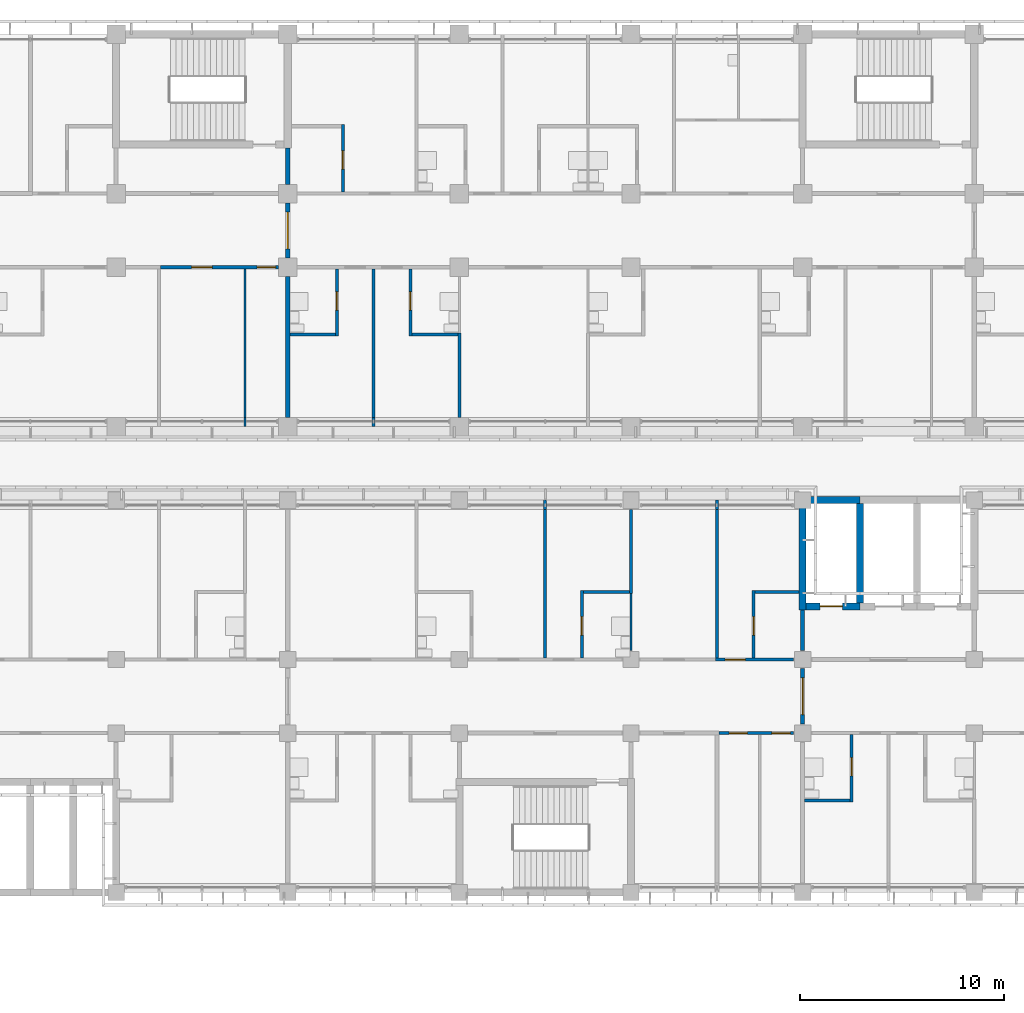
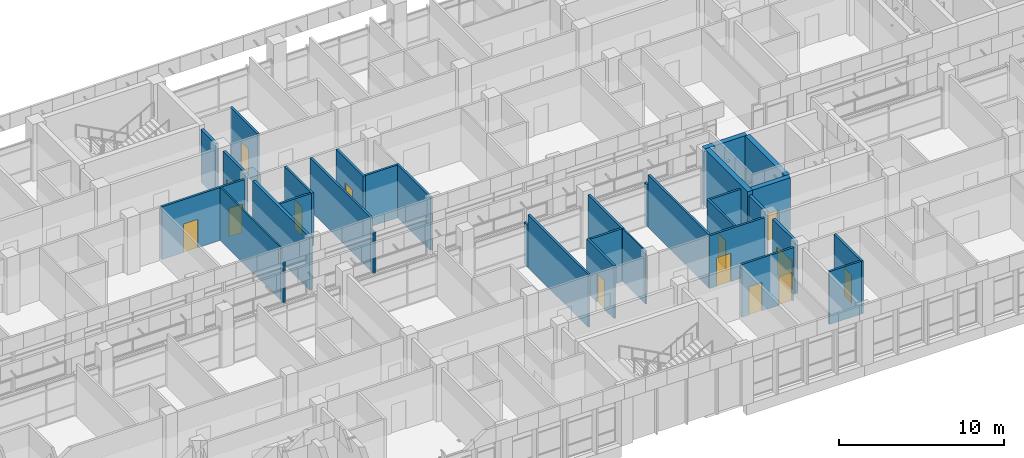
# One storey, part 80 of 137: 34 walls, 14 doors, 14 openings.
"""IFC4 building model written with IfcOpenShell, lengths in metres."""

from ifc_helpers import new_model, si_unit, direction, frame, frame_2d, origin, place, context, subcontext, project, spatial, rectangle, extrude, material, layer, layer_set, type_object, element, fill, save


model = new_model("IFC4")

# Units and contexts
model_context = context("Model", 3, precision=1e-05, world=origin(), true_north=direction((0.0, 1.0)))
body_context = subcontext(model_context, "Body", "Model", "MODEL_VIEW")
ifc_project = project(units=[si_unit("LENGTHUNIT", "METRE"), si_unit("AREAUNIT", "SQUARE_METRE"), si_unit("VOLUMEUNIT", "CUBIC_METRE"), si_unit("PLANEANGLEUNIT", "RADIAN"), si_unit("MASSUNIT", "GRAM", prefix="KILO")], contexts=[model_context])

# Site, building, storey
site_placement = place(None, origin())
site = spatial("IfcSite", under=ifc_project, at=site_placement, CompositionType="ELEMENT")
building_placement = place(site_placement, origin())
building = spatial("IfcBuilding", under=site, at=building_placement, Name="Bougainvillea Quay General Hospital", CompositionType="ELEMENT")
storey_placement = place(building_placement, frame((0.0, 0.0, 16.800048828125)))
storey = spatial("IfcBuildingStorey", under=building, at=storey_placement, Name="L03", CompositionType="ELEMENT", Elevation=16.800048828125)

# Walls
ifc_material_1 = material(Name="Gypsum board partition on steel studs", Category="steel")
ifc_layer_1 = layer(ifc_material_1, 0.10009765625)
ifc_layer_set_1 = layer_set([ifc_layer_1], Name="Gypsum board partition on steel studs")
wall_type_1 = type_object("IfcWallType", Name="Partition 100 Gypsum board partition", PredefinedType="PARTITIONING", material=ifc_layer_set_1)
wall_1_placement = place(storey_placement, frame((107.10009765625, 140.39990234375, 0.0), z_axis=(0.0, 0.0, 1.0), x_axis=(0.0, 1.0, 0.0)))
element("IfcWall", 1, at=wall_1_placement, inside=storey, type_object=wall_type_1, Name="Partition 100 mm", PredefinedType="PARTITIONING", context=body_context, shape_type="SweptSolid", body=[
    extrude(rectangle(XDim=0.4501953125, YDim=0.10009765625, at=frame_2d((0.22509765625, 0.0))), origin(), (0.0, 0.0, 1.0), 3.079833984375),
])
wall_2_placement = place(storey_placement, frame((107.10009765625, 140.85009765625, 0.0), z_axis=(0.0, 0.0, 1.0), x_axis=(0.0, 1.0, 0.0)))
element("IfcWall", 2, at=wall_2_placement, inside=storey, type_object=wall_type_1, Name="Partition 100 mm", PredefinedType="PARTITIONING", context=body_context, shape_type="SweptSolid", body=[
    extrude(rectangle(XDim=7.27490234375, YDim=0.10009765625, at=frame_2d((3.637451171875, 0.0))), origin(), (0.0, 0.0, 1.0), 3.89990234375),
])
wall_3_placement = place(storey_placement, frame((126.0, 129.449951171875, 0.0), z_axis=(0.0, 0.0, 1.0), x_axis=(0.0, 1.0, 0.0)))
element("IfcWall", 3, at=wall_3_placement, inside=storey, type_object=wall_type_1, Name="Partition 100 mm", PredefinedType="PARTITIONING", context=body_context, shape_type="SweptSolid", body=[
    extrude(rectangle(XDim=2.775146484375, YDim=0.10009765625, at=frame_2d((1.3876953125, 0.0))), origin(), (0.0, 0.0, 1.0), 3.89990234375),
])
ifc_material_2 = material(Name="Gypsum board partition on steel studs, insulated", Category="steel")
ifc_layer_2 = layer(ifc_material_2, 0.14990234375)
ifc_layer_set_2 = layer_set([ifc_layer_2], Name="Gypsum board partition on steel studs, insulated")
wall_type_2 = type_object("IfcWallType", Name="Partition 150 Gypsum board partition", PredefinedType="PARTITIONING", material=ifc_layer_set_2)
wall_4_placement = place(storey_placement, frame((121.800048828125, 129.074951171875, 0.0), z_axis=(0.0, 0.0, 1.0), x_axis=(0.0, 1.0, 0.0)))
element("IfcWall", 4, at=wall_4_placement, inside=storey, type_object=wall_type_2, Name="Partition 150 mm", PredefinedType="PARTITIONING", context=body_context, shape_type="SweptSolid", body=[
    extrude(rectangle(XDim=7.275146484375, YDim=0.14990234375, at=frame_2d((3.6376953125, 0.0))), origin(), (0.0, 0.0, 1.0), 3.89990234375),
])
wall_5_placement = place(storey_placement, frame((121.800048828125, 136.35009765625, 0.0), z_axis=(0.0, 0.0, 1.0), x_axis=(0.0, 1.0, 0.0)))
element("IfcWall", 5, at=wall_5_placement, inside=storey, type_object=wall_type_2, Name="Partition 150 mm", PredefinedType="PARTITIONING", context=body_context, shape_type="SweptSolid", body=[
    extrude(rectangle(XDim=0.449951171875, YDim=0.14990234375, at=frame_2d((0.22509765625, 0.0))), origin(), (0.0, 0.0, 1.0), 3.079833984375),
])
wall_6_placement = place(storey_placement, frame((130.199951171875, 129.074951171875, 0.0), z_axis=(0.0, 0.0, 1.0), x_axis=(0.0, 1.0, 0.0)))
element("IfcWall", 6, at=wall_6_placement, inside=storey, type_object=wall_type_2, Name="Partition 150 mm", PredefinedType="PARTITIONING", context=body_context, shape_type="SweptSolid", body=[
    extrude(rectangle(XDim=7.275146484375, YDim=0.14990234375, at=frame_2d((3.6376953125, 0.0))), origin(), (0.0, 0.0, 1.0), 3.89990234375),
])
wall_7_placement = place(storey_placement, frame((130.199951171875, 136.35009765625, 0.0), z_axis=(0.0, 0.0, 1.0), x_axis=(0.0, 1.0, 0.0)))
element("IfcWall", 7, at=wall_7_placement, inside=storey, type_object=wall_type_2, Name="Partition 150 mm", PredefinedType="PARTITIONING", context=body_context, shape_type="SweptSolid", body=[
    extrude(rectangle(XDim=0.449951171875, YDim=0.14990234375, at=frame_2d((0.22509765625, 0.0))), origin(), (0.0, 0.0, 1.0), 3.079833984375),
])
wall_8_placement = place(storey_placement, frame((113.39990234375, 140.39990234375, 0.0), z_axis=(0.0, 0.0, 1.0), x_axis=(0.0, 1.0, 0.0)))
element("IfcWall", 8, at=wall_8_placement, inside=storey, type_object=wall_type_2, Name="Partition 150 mm", PredefinedType="PARTITIONING", context=body_context, shape_type="SweptSolid", body=[
    extrude(rectangle(XDim=0.4501953125, YDim=0.14990234375, at=frame_2d((0.22509765625, 0.0))), origin(), (0.0, 0.0, 1.0), 3.079833984375),
])
wall_9_placement = place(storey_placement, frame((113.39990234375, 140.85009765625, 0.0), z_axis=(0.0, 0.0, 1.0), x_axis=(0.0, 1.0, 0.0)))
element("IfcWall", 9, at=wall_9_placement, inside=storey, type_object=wall_type_2, Name="Partition 150 mm", PredefinedType="PARTITIONING", context=body_context, shape_type="SweptSolid", body=[
    extrude(rectangle(XDim=7.27490234375, YDim=0.14990234375, at=frame_2d((3.637451171875, 0.0))), origin(), (0.0, 0.0, 1.0), 3.89990234375),
])
for number, where, z_axis, x_axis, name in (
    (10, (117.60009765625, 140.85009765625, 0.0), (0.0, 0.0, 1.0), (0.0, 1.0, 0.0), "Partition 150 mm"),
    (11, (126.0, 132.22509765625, 0.0), (0.0, 0.0, 1.0), (0.0, 1.0, 0.0), "Partition 150 mm"),
):
    element("IfcWall", number, at=place(storey_placement, frame(where, z_axis=z_axis, x_axis=x_axis)), inside=storey, type_object=wall_type_2, Name=name, PredefinedType="PARTITIONING", context=body_context, shape_type="SweptSolid", body=[
        extrude(rectangle(XDim=4.125, YDim=0.14990234375, at=frame_2d((2.0625, 0.0))), origin(), (0.0, 0.0, 1.0), 3.89990234375),
    ])

# Wall, opening, door
wall_10_placement = place(storey_placement, frame((123.60009765625, 129.074951171875, 0.0), z_axis=(0.0, 0.0, 1.0), x_axis=(0.0, 1.0, 0.0)))
wall_10 = element("IfcWall", 12, at=wall_10_placement, inside=storey, type_object=wall_type_2, Name="Partition 150 mm", PredefinedType="PARTITIONING", context=body_context, shape_type="SweptSolid", body=[
    extrude(rectangle(XDim=3.300048828125, YDim=0.14990234375, at=frame_2d((1.64990234375, 0.0))), origin(), (0.0, 0.0, 1.0), 3.89990234375),
])
opening_1_placement = place(wall_10_placement, frame((1.125, 0.0, 0.0)))
opening_1 = element("IfcOpeningElement", 13, at=opening_1_placement, cuts=wall_10, Name="Opening L03.109", PredefinedType="OPENING", context=body_context, shape_type="SweptSolid", body=[
    extrude(rectangle(XDim=0.89990234375, YDim=2.10009765625, at=frame_2d((0.449951171875, 1.050048828125))), frame((0.0, 0.0849609375, 0.0), z_axis=(0.0, -1.0, 0.0), x_axis=(1.0, 0.0, 0.0)), (0.0, 0.0, 1.0), 0.169921875),
])
ifc_material_3 = material(Name="Solid-core timber door leaf in steel frame", Category="steel")
door_type_1 = type_object("IfcDoorType", Name="Single leaf door 900x2100", OperationType="NOTDEFINED", PredefinedType="DOOR", material=ifc_material_3)
door_1_placement = place(opening_1_placement, frame((0.89990234375, 0.0, 0.0), z_axis=(0.0, 0.0, 1.0), x_axis=(-1.0, 0.0, 0.0)))
door_1 = element("IfcDoor", 14, at=door_1_placement, inside=storey, type_object=door_type_1, Name="DT07 L03.109", OperationType="SINGLE_SWING_RIGHT", OverallHeight=2.10009765625, OverallWidth=0.89990234375, PredefinedType="DOOR", context=body_context, shape_type="SweptSolid", body=[
    extrude(rectangle(XDim=0.89990234375, YDim=2.10009765625, at=frame_2d((0.449951171875, 1.050048828125))), frame((0.0, 0.02490234375, 0.0), z_axis=(0.0, -1.0, 0.0), x_axis=(1.0, 0.0, 0.0)), (0.0, 0.0, 1.0), 0.050048828125),
])
fill(opening_1, door_1)

wall_11_placement = place(storey_placement, frame((132.0, 129.074951171875, 0.0), z_axis=(0.0, 0.0, 1.0), x_axis=(0.0, 1.0, 0.0)))
wall_11 = element("IfcWall", 15, at=wall_11_placement, inside=storey, type_object=wall_type_2, Name="Partition 150 mm", PredefinedType="PARTITIONING", context=body_context, shape_type="SweptSolid", body=[
    extrude(rectangle(XDim=3.300048828125, YDim=0.14990234375, at=frame_2d((1.64990234375, 0.0))), origin(), (0.0, 0.0, 1.0), 3.89990234375),
])
opening_2_placement = place(wall_11_placement, frame((1.125, 0.0, 0.0)))
opening_2 = element("IfcOpeningElement", 16, at=opening_2_placement, cuts=wall_11, Name="Opening L03.112", PredefinedType="OPENING", context=body_context, shape_type="SweptSolid", body=[
    extrude(rectangle(XDim=0.89990234375, YDim=2.10009765625, at=frame_2d((0.449951171875, 1.050048828125))), frame((0.0, 0.0849609375, 0.0), z_axis=(0.0, -1.0, 0.0), x_axis=(1.0, 0.0, 0.0)), (0.0, 0.0, 1.0), 0.169921875),
])
door_2_placement = place(opening_2_placement, frame((0.89990234375, 0.0, 0.0), z_axis=(0.0, 0.0, 1.0), x_axis=(-1.0, 0.0, 0.0)))
door_2 = element("IfcDoor", 17, at=door_2_placement, inside=storey, type_object=door_type_1, Name="DT07 L03.112", OperationType="SINGLE_SWING_RIGHT", OverallHeight=2.10009765625, OverallWidth=0.89990234375, PredefinedType="DOOR", context=body_context, shape_type="SweptSolid", body=[
    extrude(rectangle(XDim=0.89990234375, YDim=2.10009765625, at=frame_2d((0.449951171875, 1.050048828125))), frame((0.0, 0.02490234375, 0.0), z_axis=(0.0, -1.0, 0.0), x_axis=(1.0, 0.0, 0.0)), (0.0, 0.0, 1.0), 0.050048828125),
])
fill(opening_2, door_2)

wall_12_placement = place(storey_placement, frame((136.800048828125, 122.02490234375, 0.0), z_axis=(0.0, 0.0, 1.0), x_axis=(0.0, 1.0, 0.0)))
wall_12 = element("IfcWall", 18, at=wall_12_placement, inside=storey, type_object=wall_type_2, Name="Partition 150 mm", PredefinedType="PARTITIONING", context=body_context, shape_type="SweptSolid", body=[
    extrude(rectangle(XDim=3.300048828125, YDim=0.14990234375, at=frame_2d((1.64990234375, 0.0))), origin(), (0.0, 0.0, 1.0), 3.89990234375),
])
opening_3_placement = place(wall_12_placement, frame((1.27490234375, 0.0, 0.0)))
opening_3 = element("IfcOpeningElement", 19, at=opening_3_placement, cuts=wall_12, Name="Opening L03.116", PredefinedType="OPENING", context=body_context, shape_type="SweptSolid", body=[
    extrude(rectangle(XDim=0.89990234375, YDim=2.10009765625, at=frame_2d((0.449951171875, 1.050048828125))), frame((0.0, 0.0849609375, 0.0), z_axis=(0.0, -1.0, 0.0), x_axis=(1.0, 0.0, 0.0)), (0.0, 0.0, 1.0), 0.169921875),
])
door_3_placement = place(opening_3_placement, origin())
door_3 = element("IfcDoor", 20, at=door_3_placement, inside=storey, type_object=door_type_1, Name="DT07 L03.116", OperationType="SINGLE_SWING_RIGHT", OverallHeight=2.10009765625, OverallWidth=0.89990234375, PredefinedType="DOOR", context=body_context, shape_type="SweptSolid", body=[
    extrude(rectangle(XDim=0.89990234375, YDim=2.10009765625, at=frame_2d((0.449951171875, 1.050048828125))), frame((0.0, 0.02490234375, 0.0), z_axis=(0.0, -1.0, 0.0), x_axis=(1.0, 0.0, 0.0)), (0.0, 0.0, 1.0), 0.050048828125),
])
fill(opening_3, door_3)

wall_13_placement = place(storey_placement, frame((111.60009765625, 144.824951171875, 0.0), z_axis=(0.0, 0.0, 1.0), x_axis=(0.0, 1.0, 0.0)))
wall_13 = element("IfcWall", 21, at=wall_13_placement, inside=storey, type_object=wall_type_2, Name="Partition 150 mm", PredefinedType="PARTITIONING", context=body_context, shape_type="SweptSolid", body=[
    extrude(rectangle(XDim=3.300048828125, YDim=0.14990234375, at=frame_2d((1.64990234375, 0.0))), origin(), (0.0, 0.0, 1.0), 3.89990234375),
])
opening_4_placement = place(wall_13_placement, frame((1.27490234375, 0.0, 0.0)))
opening_4 = element("IfcOpeningElement", 22, at=opening_4_placement, cuts=wall_13, Name="Opening L03.031", PredefinedType="OPENING", context=body_context, shape_type="SweptSolid", body=[
    extrude(rectangle(XDim=0.89990234375, YDim=2.10009765625, at=frame_2d((0.449951171875, 1.050048828125))), frame((0.0, 0.0849609375, 0.0), z_axis=(0.0, -1.0, 0.0), x_axis=(1.0, 0.0, 0.0)), (0.0, 0.0, 1.0), 0.169921875),
])
door_4_placement = place(opening_4_placement, origin())
door_4 = element("IfcDoor", 23, at=door_4_placement, inside=storey, type_object=door_type_1, Name="DT07 L03.031", OperationType="SINGLE_SWING_RIGHT", OverallHeight=2.10009765625, OverallWidth=0.89990234375, PredefinedType="DOOR", context=body_context, shape_type="SweptSolid", body=[
    extrude(rectangle(XDim=0.89990234375, YDim=2.10009765625, at=frame_2d((0.449951171875, 1.050048828125))), frame((0.0, 0.02490234375, 0.0), z_axis=(0.0, -1.0, 0.0), x_axis=(1.0, 0.0, 0.0)), (0.0, 0.0, 1.0), 0.050048828125),
])
fill(opening_4, door_4)

wall_14_placement = place(storey_placement, frame((111.89990234375, 151.875, 0.0), z_axis=(0.0, 0.0, 1.0), x_axis=(0.0, 1.0, 0.0)))
wall_14 = element("IfcWall", 24, at=wall_14_placement, inside=storey, type_object=wall_type_2, Name="Partition 150 mm", PredefinedType="PARTITIONING", context=body_context, shape_type="SweptSolid", body=[
    extrude(rectangle(XDim=3.300048828125, YDim=0.14990234375, at=frame_2d((1.64990234375, 0.0))), origin(), (0.0, 0.0, 1.0), 3.89990234375),
])
opening_5_placement = place(wall_14_placement, frame((1.125, 0.0, 0.0)))
opening_5 = element("IfcOpeningElement", 25, at=opening_5_placement, cuts=wall_14, Name="Opening L03.042", PredefinedType="OPENING", context=body_context, shape_type="SweptSolid", body=[
    extrude(rectangle(XDim=0.89990234375, YDim=2.10009765625, at=frame_2d((0.449951171875, 1.050048828125))), frame((0.0, 0.0849609375, 0.0), z_axis=(0.0, -1.0, 0.0), x_axis=(1.0, 0.0, 0.0)), (0.0, 0.0, 1.0), 0.169921875),
])
door_5_placement = place(opening_5_placement, origin())
door_5 = element("IfcDoor", 26, at=door_5_placement, inside=storey, type_object=door_type_1, Name="DT07 L03.042", OperationType="SINGLE_SWING_LEFT", OverallHeight=2.10009765625, OverallWidth=0.89990234375, PredefinedType="DOOR", context=body_context, shape_type="SweptSolid", body=[
    extrude(rectangle(XDim=0.89990234375, YDim=2.10009765625, at=frame_2d((0.449951171875, 1.050048828125))), frame((0.0, 0.02490234375, 0.0), z_axis=(0.0, -1.0, 0.0), x_axis=(1.0, 0.0, 0.0)), (0.0, 0.0, 1.0), 0.050048828125),
])
fill(opening_5, door_5)

wall_15_placement = place(storey_placement, frame((115.199951171875, 144.824951171875, 0.0), z_axis=(0.0, 0.0, 1.0), x_axis=(0.0, 1.0, 0.0)))
wall_15 = element("IfcWall", 27, at=wall_15_placement, inside=storey, type_object=wall_type_2, Name="Partition 150 mm", PredefinedType="PARTITIONING", context=body_context, shape_type="SweptSolid", body=[
    extrude(rectangle(XDim=3.300048828125, YDim=0.14990234375, at=frame_2d((1.64990234375, 0.0))), origin(), (0.0, 0.0, 1.0), 3.89990234375),
])
opening_6_placement = place(wall_15_placement, frame((1.27490234375, 0.0, 0.0)))
opening_6 = element("IfcOpeningElement", 28, at=opening_6_placement, cuts=wall_15, Name="Opening L03.033", PredefinedType="OPENING", context=body_context, shape_type="SweptSolid", body=[
    extrude(rectangle(XDim=0.89990234375, YDim=2.10009765625, at=frame_2d((0.449951171875, 1.050048828125))), frame((0.0, 0.0849609375, 0.0), z_axis=(0.0, -1.0, 0.0), x_axis=(1.0, 0.0, 0.0)), (0.0, 0.0, 1.0), 0.169921875),
])
door_6_placement = place(opening_6_placement, frame((0.89990234375, 0.0, 0.0), z_axis=(0.0, 0.0, 1.0), x_axis=(-1.0, 0.0, 0.0)))
door_6 = element("IfcDoor", 29, at=door_6_placement, inside=storey, type_object=door_type_1, Name="DT07 L03.033", OperationType="SINGLE_SWING_LEFT", OverallHeight=2.10009765625, OverallWidth=0.89990234375, PredefinedType="DOOR", context=body_context, shape_type="SweptSolid", body=[
    extrude(rectangle(XDim=0.89990234375, YDim=2.10009765625, at=frame_2d((0.449951171875, 1.050048828125))), frame((0.0, 0.02490234375, 0.0), z_axis=(0.0, -1.0, 0.0), x_axis=(1.0, 0.0, 0.0)), (0.0, 0.0, 1.0), 0.050048828125),
])
fill(opening_6, door_6)

# Walls
wall_16_placement = place(storey_placement, frame((123.675048828125, 132.300048828125, 0.0), z_axis=(0.0, 0.0, 1.0), x_axis=(1.0, 0.0, 0.0)))
element("IfcWall", 30, at=wall_16_placement, inside=storey, type_object=wall_type_2, Name="Partition 150 mm", PredefinedType="PARTITIONING", context=body_context, shape_type="SweptSolid", body=[
    extrude(rectangle(XDim=2.25, YDim=0.14990234375, at=frame_2d((1.125, 0.0))), origin(), (0.0, 0.0, 1.0), 3.89990234375),
])
wall_17_placement = place(storey_placement, frame((132.074951171875, 132.300048828125, 0.0), z_axis=(0.0, 0.0, 1.0), x_axis=(1.0, 0.0, 0.0)))
element("IfcWall", 31, at=wall_17_placement, inside=storey, type_object=wall_type_2, Name="Partition 150 mm", PredefinedType="PARTITIONING", context=body_context, shape_type="SweptSolid", body=[
    extrude(rectangle(XDim=2.150146484375, YDim=0.14990234375, at=frame_2d((1.0751953125, 0.0))), origin(), (0.0, 0.0, 1.0), 3.89990234375),
])
wall_18_placement = place(storey_placement, frame((134.5, 122.10009765625, 0.0), z_axis=(0.0, 0.0, 1.0), x_axis=(1.0, 0.0, 0.0)))
element("IfcWall", 32, at=wall_18_placement, inside=storey, type_object=wall_type_2, Name="Partition 150 mm", PredefinedType="PARTITIONING", context=body_context, shape_type="SweptSolid", body=[
    extrude(rectangle(XDim=2.22509765625, YDim=0.14990234375, at=frame_2d((1.112548828125, 0.0))), origin(), (0.0, 0.0, 1.0), 3.89990234375),
])
wall_19_placement = place(storey_placement, frame((109.300048828125, 144.89990234375, 0.0), z_axis=(0.0, 0.0, 1.0), x_axis=(1.0, 0.0, 0.0)))
element("IfcWall", 33, at=wall_19_placement, inside=storey, type_object=wall_type_2, Name="Partition 150 mm", PredefinedType="PARTITIONING", context=body_context, shape_type="SweptSolid", body=[
    extrude(rectangle(XDim=2.224853515625, YDim=0.14990234375, at=frame_2d((1.1123046875, 0.0))), origin(), (0.0, 0.0, 1.0), 3.89990234375),
])
wall_20_placement = place(storey_placement, frame((115.27490234375, 144.89990234375, 0.0), z_axis=(0.0, 0.0, 1.0), x_axis=(1.0, 0.0, 0.0)))
element("IfcWall", 34, at=wall_20_placement, inside=storey, type_object=wall_type_2, Name="Partition 150 mm", PredefinedType="PARTITIONING", context=body_context, shape_type="SweptSolid", body=[
    extrude(rectangle(XDim=2.25, YDim=0.14990234375, at=frame_2d((1.125, 0.0))), origin(), (0.0, 0.0, 1.0), 3.89990234375),
])

# Wall, opening, door
ifc_layer_3 = layer(ifc_material_2, 0.14990234375)
ifc_layer_set_3 = layer_set([ifc_layer_3], Name="Gypsum board partition on steel studs, insulated")
wall_type_3 = type_object("IfcWallType", Name="Partition 150 Gypsum board partition EI 30", PredefinedType="PARTITIONING", material=ifc_layer_set_3)
wall_21_placement = place(storey_placement, frame((130.125, 129.0, 0.0), z_axis=(0.0, 0.0, 1.0), x_axis=(1.0, 0.0, 0.0)))
wall_21 = element("IfcWall", 35, at=wall_21_placement, inside=storey, type_object=wall_type_3, Name="Partition 150 mm EI 30", PredefinedType="PARTITIONING", context=body_context, shape_type="SweptSolid", body=[
    extrude(rectangle(XDim=3.824951171875, YDim=0.14990234375, at=frame_2d((1.91259765625, 0.0))), origin(), (0.0, 0.0, 1.0), 3.89990234375),
])
opening_7_placement = place(wall_21_placement, frame((0.47509765625, 0.0, 0.0)))
opening_7 = element("IfcOpeningElement", 36, at=opening_7_placement, cuts=wall_21, Name="Opening L03.111", PredefinedType="OPENING", context=body_context, shape_type="SweptSolid", body=[
    extrude(rectangle(XDim=1.0, YDim=2.10009765625, at=frame_2d((0.5, 1.050048828125))), frame((0.0, 0.0849609375, 0.0), z_axis=(0.0, -1.0, 0.0), x_axis=(1.0, 0.0, 0.0)), (0.0, 0.0, 1.0), 0.169921875),
])
door_type_2 = type_object("IfcDoorType", Name="Single leaf door 1000x2100 FD30S", OperationType="NOTDEFINED", PredefinedType="DOOR", material=ifc_material_3)
door_7_placement = place(opening_7_placement, origin())
door_7 = element("IfcDoor", 37, at=door_7_placement, inside=storey, type_object=door_type_2, Name="DT15 L03.111", OperationType="SINGLE_SWING_LEFT", OverallHeight=2.10009765625, OverallWidth=1.0, PredefinedType="DOOR", context=body_context, shape_type="SweptSolid", body=[
    extrude(rectangle(XDim=1.0, YDim=2.10009765625, at=frame_2d((0.5, 1.050048828125))), frame((0.0, 0.02490234375, 0.0), z_axis=(0.0, -1.0, 0.0), x_axis=(1.0, 0.0, 0.0)), (0.0, 0.0, 1.0), 0.050048828125),
])
fill(opening_7, door_7)

# Wall, openings, doors
ifc_layer_4 = layer(ifc_material_2, 0.14990234375)
ifc_layer_set_4 = layer_set([ifc_layer_4], Name="Gypsum board partition on steel studs, insulated")
wall_type_4 = type_object("IfcWallType", Name="Partition 150 Gypsum board partition EI 60", PredefinedType="PARTITIONING", material=ifc_layer_set_4)
wall_22_placement = place(storey_placement, frame((102.97509765625, 148.199951171875, 0.0), z_axis=(0.0, 0.0, 1.0), x_axis=(1.0, 0.0, 0.0)))
wall_22 = element("IfcWall", 38, at=wall_22_placement, inside=storey, type_object=wall_type_4, Name="Partition 150 mm EI 60", PredefinedType="PARTITIONING", context=body_context, shape_type="SweptSolid", body=[
    extrude(rectangle(XDim=5.77490234375, YDim=0.14990234375, at=frame_2d((2.887451171875, 0.0))), origin(), (0.0, 0.0, 1.0), 3.89990234375),
])
opening_8_placement = place(wall_22_placement, frame((1.52490234375, 0.0, 0.0)))
opening_8 = element("IfcOpeningElement", 39, at=opening_8_placement, cuts=wall_22, Name="Opening L03.026", PredefinedType="OPENING", context=body_context, shape_type="SweptSolid", body=[
    extrude(rectangle(XDim=1.0, YDim=2.10009765625, at=frame_2d((0.5, 1.050048828125))), frame((0.0, 0.0849609375, 0.0), z_axis=(0.0, -1.0, 0.0), x_axis=(1.0, 0.0, 0.0)), (0.0, 0.0, 1.0), 0.169921875),
])
opening_9_placement = place(wall_22_placement, frame((4.72509765625, 0.0, 0.0)))
opening_9 = element("IfcOpeningElement", 40, at=opening_9_placement, cuts=wall_22, Name="Opening L03.027", PredefinedType="OPENING", context=body_context, shape_type="SweptSolid", body=[
    extrude(rectangle(XDim=0.89990234375, YDim=2.10009765625, at=frame_2d((0.449951171875, 1.050048828125))), frame((0.0, 0.0849609375, 0.0), z_axis=(0.0, -1.0, 0.0), x_axis=(1.0, 0.0, 0.0)), (0.0, 0.0, 1.0), 0.169921875),
])
door_type_3 = type_object("IfcDoorType", Name="Single leaf door 1000x2100 FD60", OperationType="NOTDEFINED", PredefinedType="DOOR", material=ifc_material_3)
door_8_placement = place(opening_8_placement, frame((1.0, 0.0, 0.0), z_axis=(0.0, 0.0, 1.0), x_axis=(-1.0, 0.0, 0.0)))
door_8 = element("IfcDoor", 41, at=door_8_placement, inside=storey, type_object=door_type_3, Name="DT14 L03.026", OperationType="SINGLE_SWING_RIGHT", OverallHeight=2.10009765625, OverallWidth=1.0, PredefinedType="DOOR", context=body_context, shape_type="SweptSolid", body=[
    extrude(rectangle(XDim=1.0, YDim=2.10009765625, at=frame_2d((0.5, 1.050048828125))), frame((0.0, 0.02490234375, 0.0), z_axis=(0.0, -1.0, 0.0), x_axis=(1.0, 0.0, 0.0)), (0.0, 0.0, 1.0), 0.050048828125),
])
fill(opening_8, door_8)
door_type_4 = type_object("IfcDoorType", Name="Single leaf door 900x2100 FD60", OperationType="NOTDEFINED", PredefinedType="DOOR", material=ifc_material_3)
door_9_placement = place(opening_9_placement, frame((0.89990234375, 0.0, 0.0), z_axis=(0.0, 0.0, 1.0), x_axis=(-1.0, 0.0, 0.0)))
door_9 = element("IfcDoor", 42, at=door_9_placement, inside=storey, type_object=door_type_4, Name="DT18 L03.027", OperationType="SINGLE_SWING_LEFT", OverallHeight=2.10009765625, OverallWidth=0.89990234375, PredefinedType="DOOR", context=body_context, shape_type="SweptSolid", body=[
    extrude(rectangle(XDim=0.89990234375, YDim=2.10009765625, at=frame_2d((0.449951171875, 1.050048828125))), frame((0.0, 0.02490234375, 0.0), z_axis=(0.0, -1.0, 0.0), x_axis=(1.0, 0.0, 0.0)), (0.0, 0.0, 1.0), 0.050048828125),
])
fill(opening_9, door_9)

wall_23_placement = place(storey_placement, frame((130.300048828125, 125.39990234375, 0.0), z_axis=(0.0, 0.0, 1.0), x_axis=(1.0, 0.0, 0.0)))
wall_23 = element("IfcWall", 43, at=wall_23_placement, inside=storey, type_object=wall_type_4, Name="Partition 150 mm EI 60", PredefinedType="PARTITIONING", context=body_context, shape_type="SweptSolid", body=[
    extrude(rectangle(XDim=3.64990234375, YDim=0.14990234375, at=frame_2d((1.824951171875, 0.0))), origin(), (0.0, 0.0, 1.0), 3.89990234375),
])
opening_10_placement = place(wall_23_placement, frame((0.5, 0.0, 0.0)))
opening_10 = element("IfcOpeningElement", 44, at=opening_10_placement, cuts=wall_23, Name="Opening L03.113", PredefinedType="OPENING", context=body_context, shape_type="SweptSolid", body=[
    extrude(rectangle(XDim=0.89990234375, YDim=2.10009765625, at=frame_2d((0.449951171875, 1.050048828125))), frame((0.0, 0.0849609375, 0.0), z_axis=(0.0, -1.0, 0.0), x_axis=(1.0, 0.0, 0.0)), (0.0, 0.0, 1.0), 0.169921875),
])
opening_11_placement = place(wall_23_placement, frame((2.60009765625, 0.0, 0.0)))
opening_11 = element("IfcOpeningElement", 45, at=opening_11_placement, cuts=wall_23, Name="Opening L03.114", PredefinedType="OPENING", context=body_context, shape_type="SweptSolid", body=[
    extrude(rectangle(XDim=0.89990234375, YDim=2.10009765625, at=frame_2d((0.449951171875, 1.050048828125))), frame((0.0, 0.0849609375, 0.0), z_axis=(0.0, -1.0, 0.0), x_axis=(1.0, 0.0, 0.0)), (0.0, 0.0, 1.0), 0.169921875),
])
door_10_placement = place(opening_10_placement, frame((0.89990234375, 0.0, 0.0), z_axis=(0.0, 0.0, 1.0), x_axis=(-1.0, 0.0, 0.0)))
door_10 = element("IfcDoor", 46, at=door_10_placement, inside=storey, type_object=door_type_4, Name="DT18 L03.113", OperationType="SINGLE_SWING_RIGHT", OverallHeight=2.10009765625, OverallWidth=0.89990234375, PredefinedType="DOOR", context=body_context, shape_type="SweptSolid", body=[
    extrude(rectangle(XDim=0.89990234375, YDim=2.10009765625, at=frame_2d((0.449951171875, 1.050048828125))), frame((0.0, 0.02490234375, 0.0), z_axis=(0.0, -1.0, 0.0), x_axis=(1.0, 0.0, 0.0)), (0.0, 0.0, 1.0), 0.050048828125),
])
fill(opening_10, door_10)
door_11_placement = place(opening_11_placement, frame((0.89990234375, 0.0, 0.0), z_axis=(0.0, 0.0, 1.0), x_axis=(-1.0, 0.0, 0.0)))
door_11 = element("IfcDoor", 47, at=door_11_placement, inside=storey, type_object=door_type_4, Name="DT18 L03.114", OperationType="SINGLE_SWING_LEFT", OverallHeight=2.10009765625, OverallWidth=0.89990234375, PredefinedType="DOOR", context=body_context, shape_type="SweptSolid", body=[
    extrude(rectangle(XDim=0.89990234375, YDim=2.10009765625, at=frame_2d((0.449951171875, 1.050048828125))), frame((0.0, 0.02490234375, 0.0), z_axis=(0.0, -1.0, 0.0), x_axis=(1.0, 0.0, 0.0)), (0.0, 0.0, 1.0), 0.050048828125),
])
fill(opening_11, door_11)

# Wall
ifc_material_4 = material(Name="Fire-rated autoclaved aerated block wall, plastered")
ifc_layer_5 = layer(ifc_material_4, 0.199951171875)
ifc_layer_set_5 = layer_set([ifc_layer_5], Name="Fire-rated autoclaved aerated block wall, plastered")
wall_type_5 = type_object("IfcWallType", Name="Partition 200 Fire-rated autoclaved aerated block wall EI 120", PredefinedType="SOLIDWALL", material=ifc_layer_set_5)
wall_24_placement = place(storey_placement, frame((134.39990234375, 131.425048828125, 0.0), z_axis=(0.0, 0.0, 1.0), x_axis=(0.0, -1.0, 0.0)))
element("IfcWall", 48, at=wall_24_placement, inside=storey, type_object=wall_type_5, Name="Partition 200 mm EI 120", PredefinedType="SOLIDWALL", context=body_context, shape_type="SweptSolid", body=[
    extrude(rectangle(XDim=1.97509765625, YDim=0.199951171875, at=frame_2d((0.987548828125, 0.0))), origin(), (0.0, 0.0, 1.0), 3.89990234375),
])

# Wall, opening, door
wall_25_placement = place(storey_placement, frame((134.39990234375, 128.550048828125, 0.0), z_axis=(0.0, 0.0, 1.0), x_axis=(0.0, -1.0, 0.0)))
wall_25 = element("IfcWall", 49, at=wall_25_placement, inside=storey, type_object=wall_type_5, Name="Partition 200 mm EI 120", PredefinedType="SOLIDWALL", context=body_context, shape_type="SweptSolid", body=[
    extrude(rectangle(XDim=2.699951171875, YDim=0.199951171875, at=frame_2d((1.35009765625, 0.0))), origin(), (0.0, 0.0, 1.0), 3.89990234375),
])
opening_12_placement = place(wall_25_placement, frame((0.449951171875, 0.0, 0.0)))
opening_12 = element("IfcOpeningElement", 50, at=opening_12_placement, cuts=wall_25, Name="Opening L03.077", PredefinedType="OPENING", context=body_context, shape_type="SweptSolid", body=[
    extrude(rectangle(XDim=1.800048828125, YDim=2.10009765625, at=frame_2d((0.89990234375, 1.050048828125))), frame((0.0, 0.10986328125, 0.0), z_axis=(0.0, -1.0, 0.0), x_axis=(1.0, 0.0, 0.0)), (0.0, 0.0, 1.0), 0.219970703125),
])
ifc_material_5 = material(Name="Steel fire door leaves in steel frame", Category="steel")
door_type_5 = type_object("IfcDoorType", Name="Steel double leaf door 1800x2100 FD90", OperationType="DOUBLE_DOOR_SINGLE_SWING", PredefinedType="DOOR", material=ifc_material_5)
door_12_placement = place(opening_12_placement, origin())
door_12 = element("IfcDoor", 51, at=door_12_placement, inside=storey, type_object=door_type_5, Name="DT03 L03.077", OperationType="DOUBLE_DOOR_SINGLE_SWING", OverallHeight=2.10009765625, OverallWidth=1.800048828125, PredefinedType="DOOR", context=body_context, shape_type="SweptSolid", body=[
    extrude(rectangle(XDim=1.800048828125, YDim=2.10009765625, at=frame_2d((0.89990234375, 1.050048828125))), frame((0.0, 0.02490234375, 0.0), z_axis=(0.0, -1.0, 0.0), x_axis=(1.0, 0.0, 0.0)), (0.0, 0.0, 1.0), 0.050048828125),
])
fill(opening_12, door_12)

# Wall
wall_26_placement = place(storey_placement, frame((109.199951171875, 154.02490234375, 0.0), z_axis=(0.0, 0.0, 1.0), x_axis=(0.0, -1.0, 0.0)))
element("IfcWall", 52, at=wall_26_placement, inside=storey, type_object=wall_type_5, Name="Partition 200 mm EI 120", PredefinedType="SOLIDWALL", context=body_context, shape_type="SweptSolid", body=[
    extrude(rectangle(XDim=1.77490234375, YDim=0.199951171875, at=frame_2d((0.887451171875, 0.0))), origin(), (0.0, 0.0, 1.0), 3.89990234375),
])

# Wall, opening, door
wall_27_placement = place(storey_placement, frame((109.199951171875, 151.35009765625, 0.0), z_axis=(0.0, 0.0, 1.0), x_axis=(0.0, -1.0, 0.0)))
wall_27 = element("IfcWall", 53, at=wall_27_placement, inside=storey, type_object=wall_type_5, Name="Partition 200 mm EI 120", PredefinedType="SOLIDWALL", context=body_context, shape_type="SweptSolid", body=[
    extrude(rectangle(XDim=2.7001953125, YDim=0.199951171875, at=frame_2d((1.35009765625, 0.0))), origin(), (0.0, 0.0, 1.0), 3.89990234375),
])
opening_13_placement = place(wall_27_placement, frame((0.449951171875, 0.0, 0.0)))
opening_13 = element("IfcOpeningElement", 54, at=opening_13_placement, cuts=wall_27, Name="Opening L03.002", PredefinedType="OPENING", context=body_context, shape_type="SweptSolid", body=[
    extrude(rectangle(XDim=1.800048828125, YDim=2.10009765625, at=frame_2d((0.89990234375, 1.050048828125))), frame((0.0, 0.10986328125, 0.0), z_axis=(0.0, -1.0, 0.0), x_axis=(1.0, 0.0, 0.0)), (0.0, 0.0, 1.0), 0.219970703125),
])
door_13_placement = place(opening_13_placement, origin())
door_13 = element("IfcDoor", 55, at=door_13_placement, inside=storey, type_object=door_type_5, Name="DT03 L03.002", OperationType="DOUBLE_DOOR_SINGLE_SWING", OverallHeight=2.10009765625, OverallWidth=1.800048828125, PredefinedType="DOOR", context=body_context, shape_type="SweptSolid", body=[
    extrude(rectangle(XDim=1.800048828125, YDim=2.10009765625, at=frame_2d((0.89990234375, 1.050048828125))), frame((0.0, 0.02490234375, 0.0), z_axis=(0.0, -1.0, 0.0), x_axis=(1.0, 0.0, 0.0)), (0.0, 0.0, 1.0), 0.050048828125),
])
fill(opening_13, door_13)

# Walls
wall_28_placement = place(storey_placement, frame((109.199951171875, 147.75, 0.0), z_axis=(0.0, 0.0, 1.0), x_axis=(0.0, -1.0, 0.0)))
element("IfcWall", 56, at=wall_28_placement, inside=storey, type_object=wall_type_5, Name="Partition 200 mm EI 120", PredefinedType="SOLIDWALL", context=body_context, shape_type="SweptSolid", body=[
    extrude(rectangle(XDim=6.89990234375, YDim=0.199951171875, at=frame_2d((3.449951171875, 0.0))), origin(), (0.0, 0.0, 1.0), 3.89990234375),
])
ifc_material_6 = material(Name="Concrete C40", Category="concrete")
ifc_layer_6 = layer(ifc_material_6, 0.35009765625)
ifc_layer_set_6 = layer_set([ifc_layer_6], Name="Concrete C40")
wall_type_6 = type_object("IfcWallType", Name="RC SHEAR WALL 350 C40", PredefinedType="SHEAR", material=ifc_layer_set_6)
wall_29_placement = place(storey_placement, frame((134.22509765625, 136.800048828125, 0.0), z_axis=(0.0, 0.0, 1.0), x_axis=(1.0, 0.0, 0.0)))
element("IfcWall", 57, at=wall_29_placement, inside=storey, type_object=wall_type_6, Name="Shear wall L03", PredefinedType="SHEAR", context=body_context, shape_type="SweptSolid", body=[
    extrude(rectangle(XDim=2.974853515625, YDim=0.35009765625, at=frame_2d((1.4873046875, 0.0))), origin(), (0.0, 0.0, 1.0), 4.199951171875),
])
wall_30_placement = place(storey_placement, frame((134.39990234375, 131.425048828125, 0.0), z_axis=(0.0, 0.0, 1.0), x_axis=(0.0, 1.0, 0.0)))
element("IfcWall", 58, at=wall_30_placement, inside=storey, type_object=wall_type_6, Name="Shear wall L03", PredefinedType="SHEAR", context=body_context, shape_type="SweptSolid", body=[
    extrude(rectangle(XDim=5.199951171875, YDim=0.35009765625, at=frame_2d((2.60009765625, 0.0))), origin(), (0.0, 0.0, 1.0), 4.199951171875),
])

# Wall, opening, door
wall_31_placement = place(storey_placement, frame((134.574951171875, 131.60009765625, 0.0), z_axis=(0.0, 0.0, 1.0), x_axis=(1.0, 0.0, 0.0)))
wall_31 = element("IfcWall", 59, at=wall_31_placement, inside=storey, type_object=wall_type_6, Name="Shear wall L03", PredefinedType="SHEAR", context=body_context, shape_type="SweptSolid", body=[
    extrude(rectangle(XDim=2.625, YDim=0.35009765625, at=frame_2d((1.3125, 0.0))), origin(), (0.0, 0.0, 1.0), 4.199951171875),
])
opening_14_placement = place(wall_31_placement, frame((0.675048828125, 0.0, 0.0)))
opening_14 = element("IfcOpeningElement", 60, at=opening_14_placement, cuts=wall_31, Name="Opening LD-B2.1-L03", PredefinedType="OPENING", context=body_context, shape_type="SweptSolid", body=[
    extrude(rectangle(XDim=1.10009765625, YDim=2.10009765625, at=frame_2d((0.550048828125, 1.050048828125))), frame((0.0, 0.18505859375, 0.0), z_axis=(0.0, -1.0, 0.0), x_axis=(1.0, 0.0, 0.0)), (0.0, 0.0, 1.0), 0.3701171875),
])
ifc_material_7 = material(Name="Stainless steel centre-opening landing door", Category="steel")
door_type_6 = type_object("IfcDoorType", Name="Lift landing door 1100x2100 E 120", OperationType="DOUBLE_DOOR_SLIDING", PredefinedType="DOOR", material=ifc_material_7)
door_14_placement = place(opening_14_placement, origin())
door_14 = element("IfcDoor", 61, at=door_14_placement, inside=storey, type_object=door_type_6, Name="Lift landing door LB-B2-1 L03", OperationType="DOUBLE_DOOR_SLIDING", OverallHeight=2.10009765625, OverallWidth=1.10009765625, PredefinedType="DOOR", context=body_context, shape_type="SweptSolid", body=[
    extrude(rectangle(XDim=1.10009765625, YDim=2.10009765625, at=frame_2d((0.550048828125, 1.050048828125))), frame((0.0, 0.02490234375, 0.0), z_axis=(0.0, -1.0, 0.0), x_axis=(1.0, 0.0, 0.0)), (0.0, 0.0, 1.0), 0.050048828125),
])
fill(opening_14, door_14)

# Wall
wall_32_placement = place(storey_placement, frame((137.199951171875, 131.77490234375, 0.0), z_axis=(0.0, 0.0, 1.0), x_axis=(0.0, 1.0, 0.0)))
element("IfcWall", 62, at=wall_32_placement, inside=storey, type_object=wall_type_6, Name="Shear wall L03", PredefinedType="SHEAR", context=body_context, shape_type="SweptSolid", body=[
    extrude(rectangle(XDim=4.85009765625, YDim=0.35009765625, at=frame_2d((2.425048828125, 0.0))), origin(), (0.0, 0.0, 1.0), 4.199951171875),
])

save(model, "model.ifc")
